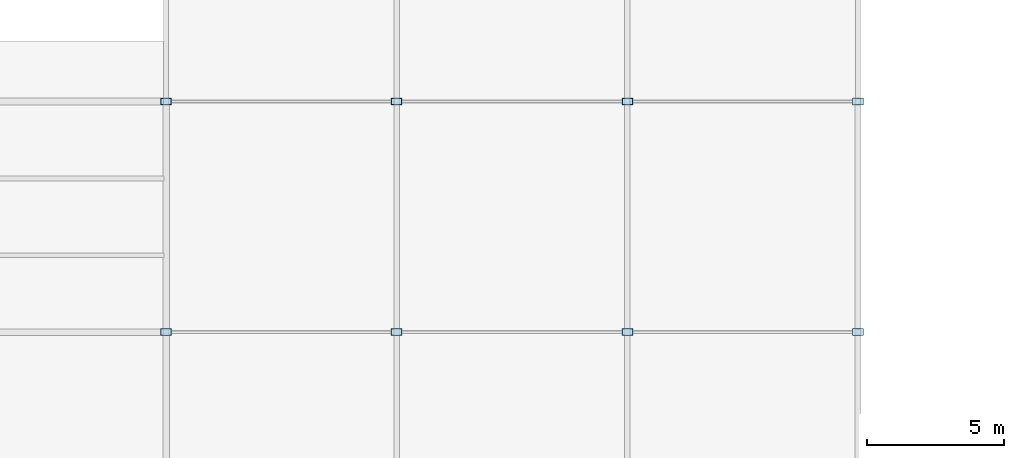
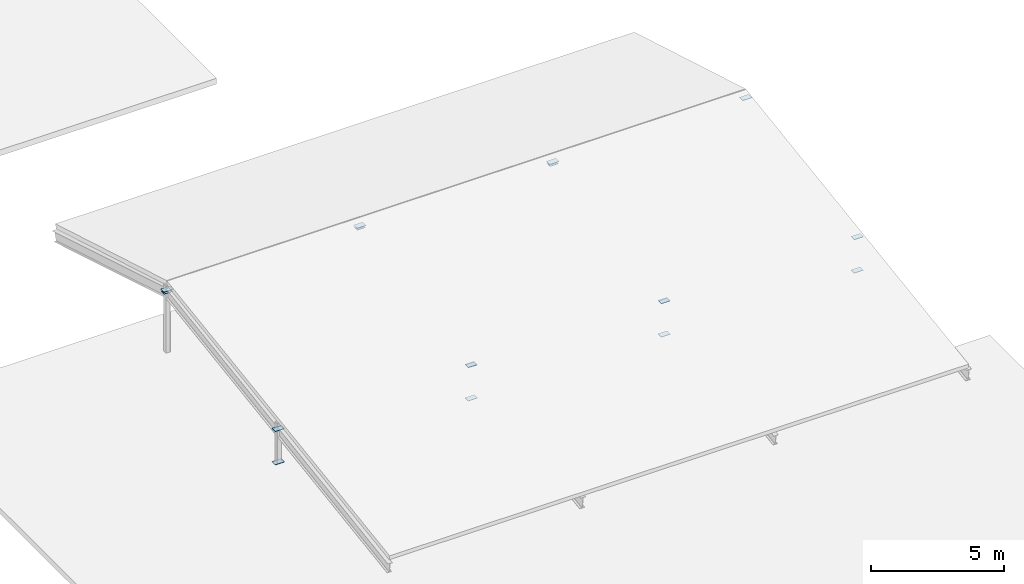
# One storey, part 16 of 31: 18 plates.
"""IFC4 building model written with IfcOpenShell, lengths in metres."""

from ifc_helpers import new_model, si_unit, direction, frame, origin, origin_2d, place, context, subcontext, project, spatial, rectangle, extrude, material, layer, layer_set, type_object, element, save


model = new_model("IFC4")

# Units and contexts
model_context = context("Model", 3, precision=1e-05, world=origin(), true_north=direction((0.0, 1.0)))
body_context = subcontext(model_context, "Body", "Model", "MODEL_VIEW")
ifc_project = project(units=[si_unit("LENGTHUNIT", "METRE"), si_unit("AREAUNIT", "SQUARE_METRE"), si_unit("VOLUMEUNIT", "CUBIC_METRE"), si_unit("PLANEANGLEUNIT", "RADIAN"), si_unit("MASSUNIT", "GRAM", prefix="KILO")], contexts=[model_context])

# Site, building, storey
site_placement = place(None, origin())
site = spatial("IfcSite", under=ifc_project, at=site_placement, CompositionType="ELEMENT")
building_placement = place(site_placement, origin())
building = spatial("IfcBuilding", under=site, at=building_placement, Name="Varnapada Polytechnic", CompositionType="ELEMENT")
storey_placement = place(building_placement, frame((0.0, 0.0, 22.199951171875)))
storey = spatial("IfcBuildingStorey", under=building, at=storey_placement, Name="L05", CompositionType="ELEMENT", Elevation=22.199951171875)

# Plates
ifc_material = material(Name="Steel S355", Category="steel")
ifc_layer_1 = layer(ifc_material, 0.01806640625)
ifc_layer_set_1 = layer_set([ifc_layer_1], Name="Steel S355")
plate_type_1 = type_object("IfcPlateType", Name="Plate BP-06", PredefinedType="SHEET", material=ifc_layer_set_1)
for number, where, z_axis, x_axis, name in (
    (1, (25.199951171875, 33.60009765625, 2.841064453125), (0.0, 0.0, 1.0), (1.0, 0.0, 0.0), "Gable ridge vertical gusset plate X4"),
    (2, (25.199951171875, 25.199951171875, -0.009033203125), (0.0, 0.0, 1.0), (1.0, 0.0, 0.0), "Post splice gusset plate V2-QPPL-03 B"),
    (3, (25.199951171875, 25.199951171875, 1.531005859375), (0.0, 0.0, 1.0), (1.0, 0.0, 0.0), "Post splice gusset plate V2-QPPL-03 T"),
    (4, (33.60009765625, 33.60009765625, 2.841064453125), (0.0, 0.0, 1.0), (1.0, 0.0, 0.0), "Gable ridge vertical gusset plate X5"),
    (5, (33.60009765625, 25.199951171875, -0.009033203125), (0.0, 0.0, 1.0), (1.0, 0.0, 0.0), "Post splice gusset plate V2-QPPL-04 B"),
    (6, (33.60009765625, 25.199951171875, 1.531005859375), (0.0, 0.0, 1.0), (1.0, 0.0, 0.0), "Post splice gusset plate V2-QPPL-04 T"),
    (7, (42.0, 33.60009765625, 2.841064453125), (0.0, 0.0, 1.0), (1.0, 0.0, 0.0), "Gable ridge vertical gusset plate X6"),
    (8, (42.0, 25.199951171875, -0.009033203125), (0.0, 0.0, 1.0), (1.0, 0.0, 0.0), "Post splice gusset plate V2-QPPL-05 B"),
    (9, (42.0, 25.199951171875, 1.531005859375), (0.0, 0.0, 1.0), (1.0, 0.0, 0.0), "Post splice gusset plate V2-QPPL-05 T"),
    (10, (50.39990234375, 33.60009765625, 2.841064453125), (0.0, 0.0, 1.0), (1.0, 0.0, 0.0), "Gable ridge vertical gusset plate X7"),
    (11, (50.39990234375, 25.199951171875, -0.009033203125), (0.0, 0.0, 1.0), (1.0, 0.0, 0.0), "Post splice gusset plate V2-QPPL-06 B"),
    (12, (50.39990234375, 25.199951171875, 1.531005859375), (0.0, 0.0, 1.0), (1.0, 0.0, 0.0), "Post splice gusset plate V2-QPPL-06 T"),
):
    element("IfcPlate", number, at=place(storey_placement, frame(where, z_axis=z_axis, x_axis=x_axis)), inside=storey, type_object=plate_type_1, Name=name, PredefinedType="SHEET", context=body_context, shape_type="SweptSolid", body=[
        extrude(rectangle(XDim=0.39990234375, YDim=0.25, at=origin_2d()), origin(), (0.0, 0.0, 1.0), 0.01806640625),
    ])
ifc_layer_2 = layer(ifc_material, 0.01611328125)
ifc_layer_set_2 = layer_set([ifc_layer_2], Name="Steel S355")
plate_type_2 = type_object("IfcPlateType", Name="Plate BP-07", PredefinedType="SHEET", material=ifc_layer_set_2)
for number, where, z_axis, x_axis, name in (
    (13, (25.199951171875, 25.199951171875, 1.511962890625), (0.0, 0.0, 1.0), (1.0, 0.0, 0.0), "Gable purlin vertical cleat plate 4.1"),
    (14, (25.199951171875, 33.60009765625, 2.741943359375), (0.0, 0.0, 1.0), (1.0, 0.0, 0.0), "Gable purlin vertical cleat plate 4.2"),
    (15, (33.60009765625, 25.199951171875, 1.511962890625), (0.0, 0.0, 1.0), (1.0, 0.0, 0.0), "Gable purlin vertical cleat plate 5.1"),
    (16, (33.60009765625, 33.60009765625, 2.741943359375), (0.0, 0.0, 1.0), (1.0, 0.0, 0.0), "Gable purlin vertical cleat plate 5.2"),
    (17, (42.0, 25.199951171875, 1.511962890625), (0.0, 0.0, 1.0), (1.0, 0.0, 0.0), "Gable purlin vertical cleat plate 6.1"),
    (18, (42.0, 33.60009765625, 2.741943359375), (0.0, 0.0, 1.0), (1.0, 0.0, 0.0), "Gable purlin vertical cleat plate 6.2"),
):
    element("IfcPlate", number, at=place(storey_placement, frame(where, z_axis=z_axis, x_axis=x_axis)), inside=storey, type_object=plate_type_2, Name=name, PredefinedType="SHEET", context=body_context, shape_type="SweptSolid", body=[
        extrude(rectangle(XDim=0.360107421875, YDim=0.219970703125, at=origin_2d()), origin(), (0.0, 0.0, 1.0), 0.01611328125),
    ])

save(model, "model.ifc")
